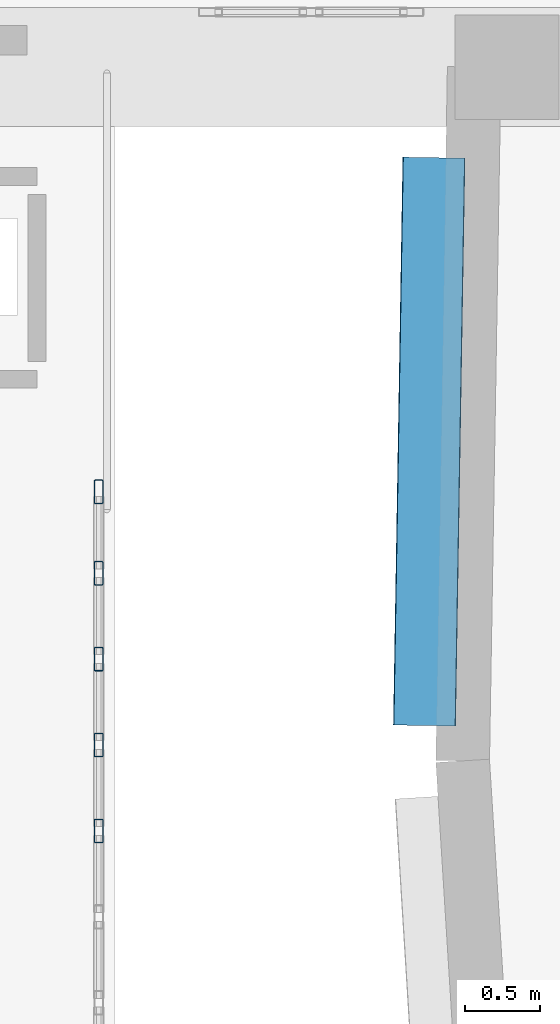
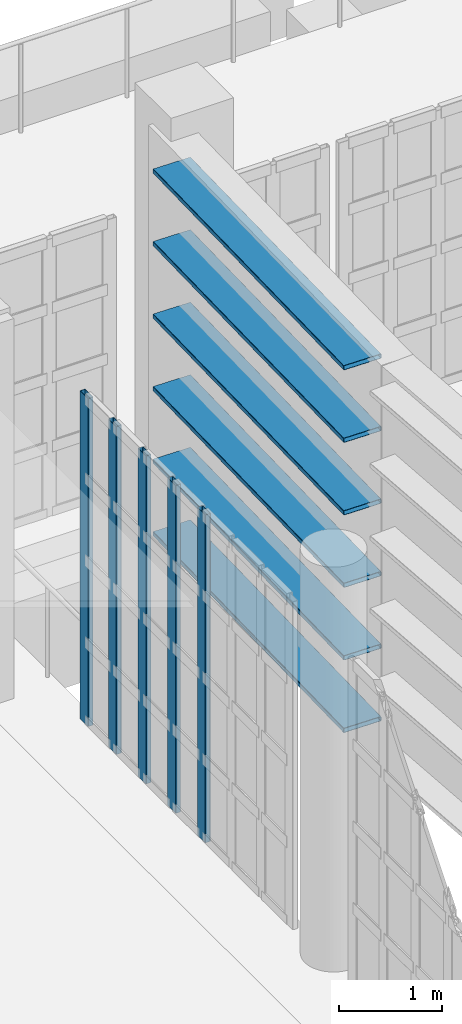
# One storey, part 35 of 104: 11 members, 1 element without a shape of its own.
"""IFC4 building model written with IfcOpenShell, lengths in metres."""

import ifcopenshell
import ifcopenshell.guid

model = None  # the IFC model being written
_history = None  # IfcOwnerHistory: only IFC2X3 demands one
_inside = {}  # id of a spatial element -> (the spatial element, [elements in it])
_under = {}  # id of a project, library or spatial element -> (it, [spatial elements below it])
_declared = {}  # id of a project -> (the project, [libraries it declares])
_typed = {}  # id of a type object -> (the type object, [elements of that type])
_made_of = {}  # id of a material, layer set ... -> (it, [elements and type objects made of it])


def new_model(schema):
    """Start an empty IFC model of exactly this schema.

    Asked for "IFC4X3", IfcOpenShell would pick the latest addendum, in which some entities
    have other attributes; the version numbers below select the first issue.
    IFC2X3 requires an IfcOwnerHistory on every rooted entity: one is made here for all.
    """
    global model, _history
    if schema == "IFC4X3":
        model = ifcopenshell.file(schema_version=(4, 3, 0, 0))
    else:
        model = ifcopenshell.file(schema=schema)
    _inside.clear()
    _under.clear()
    _declared.clear()
    _typed.clear()
    _made_of.clear()
    _history = None
    if model.schema == "IFC2X3":
        org = make("IfcOrganization", Name="unknown")
        user = make(
            "IfcPersonAndOrganization",
            ThePerson=make("IfcPerson", FamilyName="unknown"),
            TheOrganization=org,
        )
        app = make(
            "IfcApplication",
            ApplicationDeveloper=org,
            Version="unknown",
            ApplicationFullName="unknown",
            ApplicationIdentifier="unknown",
        )
        _history = make(
            "IfcOwnerHistory",
            OwningUser=user,
            OwningApplication=app,
            ChangeAction="ADDED",
            CreationDate=0,
        )
    return model


def make(cls, **values):
    """One entity of the class cls with the attributes given. An attribute that is None is left unset."""
    return model.create_entity(
        cls, **{name: value for name, value in values.items() if value is not None}
    )


def rooted(cls, **values):
    """An entity with a GlobalId (a new one), such as an element, a storey or a relation."""
    return make(cls, GlobalId=ifcopenshell.guid.new(), OwnerHistory=_history, **values)


def si_unit(unit_type, name, prefix=None):
    """IfcSIUnit, for example si_unit("LENGTHUNIT", "METRE", prefix="MILLI")."""
    return make("IfcSIUnit", UnitType=unit_type, Prefix=prefix, Name=name)


def assignment(units):
    """IfcUnitAssignment: the units of a project."""
    return None if units is None else make("IfcUnitAssignment", Units=units)


def point(xyz):
    """IfcCartesianPoint."""
    return None if xyz is None else make("IfcCartesianPoint", Coordinates=xyz)


def direction(xyz):
    """IfcDirection."""
    return None if xyz is None else make("IfcDirection", DirectionRatios=xyz)


def frame(location, z_axis=None, x_axis=None):
    """IfcAxis2Placement3D, a coordinate frame: its origin and axes. An axis left out is left unset."""
    return make(
        "IfcAxis2Placement3D",
        Location=point(location),
        Axis=direction(z_axis),
        RefDirection=direction(x_axis),
    )


def frame_2d(location, x_axis=None):
    """IfcAxis2Placement2D, a coordinate frame in the plane: its origin and x axis."""
    return make(
        "IfcAxis2Placement2D", Location=point(location), RefDirection=direction(x_axis)
    )


def origin():
    """The frame at (0, 0, 0) with its axes left unset."""
    return frame((0.0, 0.0, 0.0))


def origin_2d():
    """The frame at (0, 0) in the plane with its x axis left unset."""
    return frame_2d((0.0, 0.0))


def place(relative_to, where):
    """IfcLocalPlacement: puts the frame where relative to a parent placement (None: the world)."""
    return make(
        "IfcLocalPlacement", PlacementRelTo=relative_to, RelativePlacement=where
    )


def context(
    kind, dimensions, precision=None, world=None, true_north=None, identifier=None
):
    """IfcGeometricRepresentationContext, for example the 3D "Model" context."""
    return make(
        "IfcGeometricRepresentationContext",
        ContextIdentifier=identifier,
        ContextType=kind,
        CoordinateSpaceDimension=dimensions,
        Precision=precision,
        WorldCoordinateSystem=world,
        TrueNorth=true_north,
    )


def subcontext(parent, identifier, kind, view, scale=None):
    """IfcGeometricRepresentationSubContext, for example "Body" below "Model"."""
    return make(
        "IfcGeometricRepresentationSubContext",
        ContextIdentifier=identifier,
        ContextType=kind,
        ParentContext=parent,
        TargetScale=scale,
        TargetView=view,
    )


def project(units=None, contexts=None):
    """IfcProject with its units and contexts."""
    return rooted(
        "IfcProject",
        Name="project",
        RepresentationContexts=contexts,
        UnitsInContext=assignment(units),
    )


def spatial(cls, under=None, at=None, **own):
    """A site, building, storey or space (cls), placed at a placement, below another one or the project."""
    s = rooted(cls, ObjectPlacement=at, **own)
    if under is not None:
        _under.setdefault(under.id(), (under, []))[1].append(s)
    return s


def profile(cls, at=None, kind="AREA", **sizes):
    """A parametric profile (cls). Its sizes go by their IFC names, for example OverallWidth=200.0."""
    return make(cls, ProfileType=kind, Position=at, **sizes)


def hollow_rectangle(**sizes):
    """IfcRectangleHollowProfileDef."""
    return profile("IfcRectangleHollowProfileDef", **sizes)


def extrude(swept, where, along, depth):
    """IfcExtrudedAreaSolid: the profile swept, set in the frame where, extruded along a direction by depth."""
    return make(
        "IfcExtrudedAreaSolid",
        SweptArea=swept,
        Position=where,
        ExtrudedDirection=direction(along),
        Depth=depth,
    )


def shape(context_of_items, identifier, shape_type, items):
    """IfcShapeRepresentation: the items that make up one representation, for example the "Body"."""
    return make(
        "IfcShapeRepresentation",
        ContextOfItems=context_of_items,
        RepresentationIdentifier=identifier,
        RepresentationType=shape_type,
        Items=items,
    )


def material(Name=None, Category=None):
    """IfcMaterial."""
    return make("IfcMaterial", Name=Name, Category=Category)


def material_profile(
    of_material, cross_section, Name=None, Category=None, Priority=None
):
    """IfcMaterialProfile: a cross section and its material."""
    return make(
        "IfcMaterialProfile",
        Name=Name,
        Material=of_material,
        Profile=cross_section,
        Priority=Priority,
        Category=Category,
    )


def profile_set(profiles, Name=None, composite=None):
    """IfcMaterialProfileSet."""
    return make(
        "IfcMaterialProfileSet",
        Name=Name,
        MaterialProfiles=profiles,
        CompositeProfile=composite,
    )


def made_of(thing, what):
    """Note that an element or type object is made of a material, layer set ...; save() writes the relation."""
    if what is not None:
        _made_of.setdefault(what.id(), (what, []))[1].append(thing)
    return thing


def type_object(cls, material=None, **own):
    """A type object (cls), such as IfcWallType, which elements share."""
    return made_of(rooted(cls, **own), material)


def element(
    cls,
    number,
    at=None,
    inside=None,
    cuts=None,
    type_object=None,
    material=None,
    context=None,
    identifier="Body",
    shape_type=None,
    held_by="IfcProductDefinitionShape",
    body=None,
    shapes=None,
    **own,
):
    """One element of the class cls, such as IfcWall. Its Tag is "e" and its number.

    at: its placement. inside: the storey or other place that contains it. cuts: it is an
    opening in that element (IfcRelVoidsElement). A single representation is given by context,
    identifier, shape_type and body (its items); several are given by shapes. held_by: the class
    of the entity that holds the representations. save() writes the other relations.
    """
    e = rooted(cls, Tag="e%d" % number, ObjectPlacement=at, **own)
    if body is not None:
        shapes = [shape(context, identifier, shape_type, body)]
    if shapes is not None:
        e.Representation = make(held_by, Representations=shapes)
    if inside is not None:
        _inside.setdefault(inside.id(), (inside, []))[1].append(e)
    if cuts is not None:
        rooted(
            "IfcRelVoidsElement", RelatingBuildingElement=cuts, RelatedOpeningElement=e
        )
    if type_object is not None:
        _typed.setdefault(type_object.id(), (type_object, []))[1].append(e)
    return made_of(e, material)


def aggregate(whole, parts):
    """IfcRelAggregates: a whole, such as a stair, and the parts it consists of."""
    return rooted("IfcRelAggregates", RelatingObject=whole, RelatedObjects=parts)


def save(model, path):
    """Write the relations noted so far, then the file.

    IfcRelAggregates (storeys below a building ...), IfcRelContainedInSpatialStructure (elements
    in a storey), IfcRelDefinesByType, IfcRelAssociatesMaterial and IfcRelDeclares: one each for
    every whole, place, type object, material and project.
    """
    for whole, parts in _under.values():
        aggregate(whole, parts)
    for where, things in _inside.values():
        rooted(
            "IfcRelContainedInSpatialStructure",
            RelatedElements=things,
            RelatingStructure=where,
        )
    for kind, things in _typed.values():
        rooted("IfcRelDefinesByType", RelatedObjects=things, RelatingType=kind)
    for what, things in _made_of.values():
        rooted("IfcRelAssociatesMaterial", RelatedObjects=things, RelatingMaterial=what)
    for by, libraries in _declared.values():
        rooted("IfcRelDeclares", RelatingContext=by, RelatedDefinitions=libraries)
    model.write(path)


model = new_model("IFC4")

# Units and contexts
model_context = context("Model", 3, precision=1e-05, world=origin(), true_north=direction((0.0, 1.0)))
body_context = subcontext(model_context, "Body", "Model", "MODEL_VIEW")
ifc_project = project(units=[si_unit("LENGTHUNIT", "METRE"), si_unit("AREAUNIT", "SQUARE_METRE"), si_unit("VOLUMEUNIT", "CUBIC_METRE"), si_unit("PLANEANGLEUNIT", "RADIAN"), si_unit("MASSUNIT", "GRAM", prefix="KILO")], contexts=[model_context])

# Site, building, storey
site_placement = place(None, origin())
site = spatial("IfcSite", under=ifc_project, at=site_placement, CompositionType="ELEMENT")
building_placement = place(site_placement, origin())
building = spatial("IfcBuilding", under=site, at=building_placement, Name="Kaelora Sail Theatre", CompositionType="ELEMENT")
storey_placement = place(building_placement, frame((0.0, 0.0, 5.39990234375)))
storey = spatial("IfcBuildingStorey", under=building, at=storey_placement, Name="L01", CompositionType="ELEMENT", Elevation=5.39990234375)

# Members
ifc_material_1 = material(Name="Anodised aluminium 6063-T6", Category="aluminium")
ifc_material_profile_1 = material_profile(ifc_material_1, hollow_rectangle(XDim=0.419921875, YDim=0.054931640625, WallThickness=0.00390625, InnerFilletRadius=0.00390625, OuterFilletRadius=0.008056640625, at=origin_2d()), Name="LOUVRE 420x55x4")
ifc_profile_set_1 = profile_set([ifc_material_profile_1], Name="Anodised aluminium 6063-T6")
member_type_1 = type_object("IfcMemberType", Name="ARC-MEM-LVR-420", PredefinedType="USERDEFINED", material=ifc_profile_set_1)
for number, where, z_axis, x_axis, name in (
    (1, (76.466552734375, 56.6015625, 0.150146484375), (0.016590707442, 0.999862364742, 0.0), (-0.999862364742, 0.016590707442, 0.0), "Studio Theatre Sail Drum horizontal solar louvre C20-06"),
    (2, (76.466552734375, 56.6015625, 1.010009765625), (0.016590707442, 0.999862364742, 0.0), (-0.999862364742, 0.016590707442, 0.0), "Studio Theatre Sail Drum horizontal solar louvre C20-07"),
    (3, (76.466552734375, 56.6015625, 1.8701171875), (0.016590707442, 0.999862364742, 0.0), (-0.999862364742, 0.016590707442, 0.0), "Studio Theatre Sail Drum horizontal solar louvre C20-08"),
    (4, (76.466552734375, 56.6015625, 2.72998046875), (0.016590707442, 0.999862364742, 0.0), (-0.999862364742, 0.016590707442, 0.0), "Studio Theatre Sail Drum horizontal solar louvre C20-09"),
    (5, (76.466552734375, 56.6015625, 3.590087890625), (0.016590707442, 0.999862364742, 0.0), (-0.999862364742, 0.016590707442, 0.0), "Studio Theatre Sail Drum horizontal solar louvre C20-10"),
    (6, (76.466552734375, 56.6015625, 4.4501953125), (0.016590707442, 0.999862364742, 0.0), (-0.999862364742, 0.016590707442, 0.0), "Studio Theatre Sail Drum horizontal solar louvre C20-11"),
):
    element("IfcMember", number, at=place(storey_placement, frame(where, z_axis=z_axis, x_axis=x_axis)), inside=storey, type_object=member_type_1, Name=name, ObjectType="LOUVRE", PredefinedType="USERDEFINED", context=body_context, shape_type="SweptSolid", body=[
        extrude(hollow_rectangle(XDim=0.419921875, YDim=0.054931640625, WallThickness=0.00390625, InnerFilletRadius=0.00390625, OuterFilletRadius=0.008056640625, at=origin_2d()), origin(), (0.0, 0.0, 1.0), 3.811279296875),
    ])

# Curtain wall, members
ifc_material_2 = material(Name="Anodised aluminium and solar-control low-E IGU", Category="aluminium")
curtain_wall_type = type_object("IfcCurtainWallType", Name="ARC-CW-CW-FOY2", PredefinedType="NOTDEFINED", material=ifc_material_2)
curtain_wall_placement = place(storey_placement, origin())
curtain_wall = element("IfcCurtainWall", 7, at=curtain_wall_placement, inside=storey, type_object=curtain_wall_type, Name="West Interstitial Foyer East Glazed Return L01-03", PredefinedType="NOTDEFINED")
ifc_material_3 = material(Name="Anodised aluminium 6063-T6", Category="aluminium")
ifc_material_profile_2 = material_profile(ifc_material_3, hollow_rectangle(XDim=0.06005859375, YDim=0.159912109375, WallThickness=0.00390625, InnerFilletRadius=0.00390625, OuterFilletRadius=0.008056640625, at=origin_2d()), Name="ALU-MULL 60x160x4")
ifc_profile_set_2 = profile_set([ifc_material_profile_2], Name="Anodised aluminium 6063-T6")
member_type_2 = type_object("IfcMemberType", Name="ARC-MEM-ML-160", PredefinedType="MULLION", material=ifc_profile_set_2)
member_1_placement = place(storey_placement, frame((74.280029296875, 55.894287109375, 0.0), z_axis=(0.0, 0.0, 1.0), x_axis=(-1.0, 0.0, 0.0)))
member_1 = element("IfcMember", 8, at=member_1_placement, type_object=member_type_2, Name="CW-FOY2 mullion 4", PredefinedType="MULLION", context=body_context, shape_type="SweptSolid", body=[
    extrude(hollow_rectangle(XDim=0.06005859375, YDim=0.159912109375, WallThickness=0.00390625, InnerFilletRadius=0.00390625, OuterFilletRadius=0.008056640625, at=origin_2d()), origin(), (0.0, 0.0, 1.0), 3.88720703125),
])
member_2_placement = place(storey_placement, frame((74.280029296875, 56.470703125, 0.0), z_axis=(0.0, 0.0, 1.0), x_axis=(-1.0, 0.0, 0.0)))
member_2 = element("IfcMember", 9, at=member_2_placement, type_object=member_type_2, Name="CW-FOY2 mullion 5", PredefinedType="MULLION", context=body_context, shape_type="SweptSolid", body=[
    extrude(hollow_rectangle(XDim=0.06005859375, YDim=0.159912109375, WallThickness=0.00390625, InnerFilletRadius=0.00390625, OuterFilletRadius=0.008056640625, at=origin_2d()), origin(), (0.0, 0.0, 1.0), 3.88720703125),
])
member_3_placement = place(storey_placement, frame((74.280029296875, 57.047119140625, 0.0), z_axis=(0.0, 0.0, 1.0), x_axis=(-1.0, 0.0, 0.0)))
member_3 = element("IfcMember", 10, at=member_3_placement, type_object=member_type_2, Name="CW-FOY2 mullion 6", PredefinedType="MULLION", context=body_context, shape_type="SweptSolid", body=[
    extrude(hollow_rectangle(XDim=0.06005859375, YDim=0.159912109375, WallThickness=0.00390625, InnerFilletRadius=0.00390625, OuterFilletRadius=0.008056640625, at=origin_2d()), origin(), (0.0, 0.0, 1.0), 3.88720703125),
])
member_4_placement = place(storey_placement, frame((74.280029296875, 57.62353515625, 0.0), z_axis=(0.0, 0.0, 1.0), x_axis=(-1.0, 0.0, 0.0)))
member_4 = element("IfcMember", 11, at=member_4_placement, type_object=member_type_2, Name="CW-FOY2 mullion 7", PredefinedType="MULLION", context=body_context, shape_type="SweptSolid", body=[
    extrude(hollow_rectangle(XDim=0.06005859375, YDim=0.159912109375, WallThickness=0.00390625, InnerFilletRadius=0.00390625, OuterFilletRadius=0.008056640625, at=origin_2d()), origin(), (0.0, 0.0, 1.0), 3.88720703125),
])
member_5_placement = place(storey_placement, frame((74.280029296875, 58.169921875, 0.0), z_axis=(0.0, 0.0, 1.0), x_axis=(-1.0, 0.0, 0.0)))
member_5 = element("IfcMember", 12, at=member_5_placement, type_object=member_type_2, Name="CW-FOY2 mullion 8", PredefinedType="MULLION", context=body_context, shape_type="SweptSolid", body=[
    extrude(hollow_rectangle(XDim=0.06005859375, YDim=0.159912109375, WallThickness=0.00390625, InnerFilletRadius=0.00390625, OuterFilletRadius=0.008056640625, at=origin_2d()), origin(), (0.0, 0.0, 1.0), 3.88720703125),
])
aggregate(curtain_wall, [member_1, member_2, member_3, member_4, member_5])

save(model, "model.ifc")
